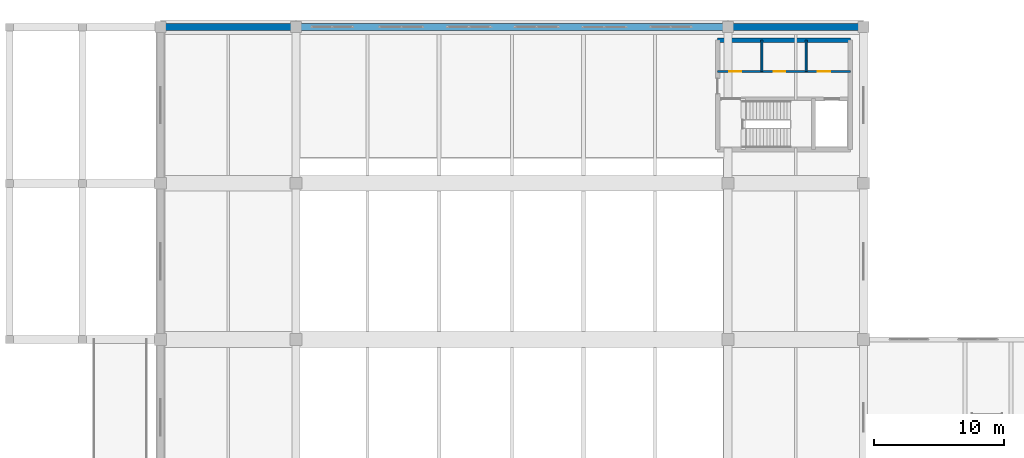
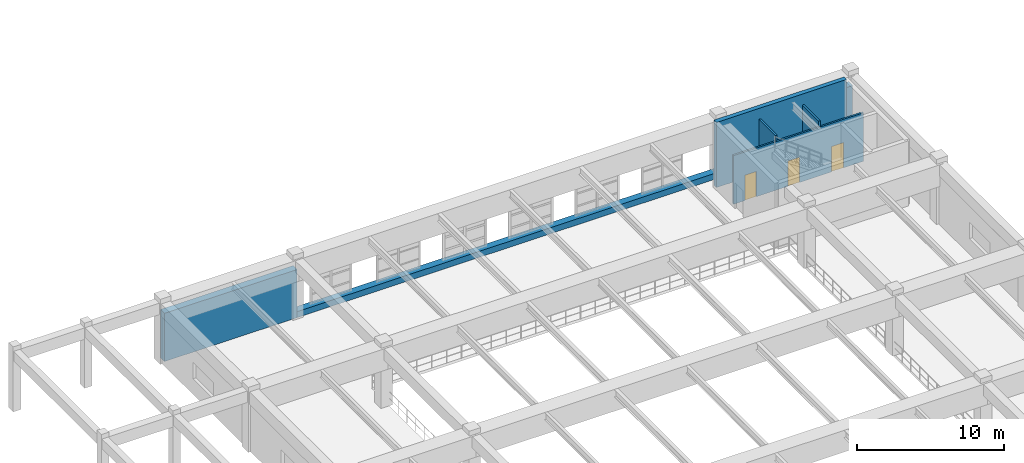
# One storey, part 182 of 197: 7 walls, 3 doors, 3 openings.
"""IFC4 building model written with IfcOpenShell, lengths in metres."""

from ifc_helpers import new_model, si_unit, derived_unit, direction, frame, frame_2d, origin, place, context, subcontext, project, spatial, rectangle, extrude, material, layer, layer_set, type_object, element, fill, save


model = new_model("IFC4")

# Units and contexts
model_context = context("Model", 3, precision=1e-05, world=origin(), true_north=direction((0.0, 1.0)))
body_context = subcontext(model_context, "Body", "Model", "MODEL_VIEW")
ifc_project = project(units=[si_unit("LENGTHUNIT", "METRE"), si_unit("AREAUNIT", "SQUARE_METRE"), si_unit("VOLUMEUNIT", "CUBIC_METRE"), si_unit("PLANEANGLEUNIT", "RADIAN"), si_unit("MASSUNIT", "GRAM", prefix="KILO"), derived_unit("THERMALTRANSMITTANCEUNIT", [(si_unit("POWERUNIT", "WATT"), 1), (si_unit("LENGTHUNIT", "METRE"), -2), (si_unit("THERMODYNAMICTEMPERATUREUNIT", "KELVIN"), -1)])], contexts=[model_context])

# Site, building, storey
site_placement = place(None, origin())
site = spatial("IfcSite", under=ifc_project, at=site_placement, CompositionType="ELEMENT")
building_placement = place(site_placement, origin())
building = spatial("IfcBuilding", under=site, at=building_placement, Name="Almenara Railside Exhibition Hall", CompositionType="ELEMENT")
storey_placement = place(building_placement, frame((0.0, 0.0, 5.39990234375)))
storey = spatial("IfcBuildingStorey", under=building, at=storey_placement, Name="L01", CompositionType="ELEMENT", Elevation=5.39990234375)

# Walls
ifc_material_1 = material(Name="Concrete C35/45", Category="concrete")
ifc_layer_1 = layer(ifc_material_1, 0.35009765625, Name="Concrete C35/45")
ifc_layer_set_1 = layer_set([ifc_layer_1], Name="Concrete C35/45")
wall_type_1 = type_object("IfcWallType", Name="Core Coupled Shear Wall 350mm C35/45", PredefinedType="SHEAR", material=ifc_layer_set_1)
wall_1_placement = place(storey_placement, frame((65.0, 131.0, 0.0), z_axis=(0.0, 0.0, 1.0), x_axis=(-1.0, 0.0, 0.0)))
element("IfcWall", 1, at=wall_1_placement, inside=storey, type_object=wall_type_1, Name="Interior wall 0038", PredefinedType="SHEAR", context=body_context, shape_type="SweptSolid", body=[
    extrude(rectangle(XDim=10.199951171875, YDim=0.35009765625, at=frame_2d((5.10009765625, 0.0))), origin(), (0.0, 0.0, 1.0), 5.400146484375),
])
ifc_material_2 = material(Name="Ochre-white lime-rendered masonry over Concrete C35/45", Category="masonry")
ifc_layer_2 = layer(ifc_material_2, 0.5400390625, Name="Ochre-white lime-rendered masonry over Concrete C35/45")
ifc_layer_set_2 = layer_set([ifc_layer_2], Name="Ochre-white lime-rendered masonry over Concrete C35/45")
wall_type_2 = type_object("IfcWallType", Name="Exterior West Hall Thermal Wall 540mm C35/45", PredefinedType="SOLIDWALL", material=ifc_layer_set_2)
wall_2_placement = place(storey_placement, frame((22.39990234375, 132.0, 0.0), z_axis=(0.0, 0.0, 1.0), x_axis=(-1.0, 0.0, 0.0)))
element("IfcWall", 2, at=wall_2_placement, inside=storey, type_object=wall_type_2, Name="Exterior wall 0065", PredefinedType="SOLIDWALL", context=body_context, shape_type="SweptSolid", body=[
    extrude(rectangle(XDim=10.39990234375, YDim=0.5400390625, at=frame_2d((5.199951171875, 0.0))), origin(), (0.0, 0.0, 1.0), 4.0),
])
wall_3_placement = place(storey_placement, frame((55.60009765625, 132.0, 0.0), z_axis=(0.0, 0.0, 1.0), x_axis=(-1.0, 0.0, 0.0)))
element("IfcWall", 3, at=wall_3_placement, inside=storey, type_object=wall_type_2, Name="Exterior wall 0068", PredefinedType="SOLIDWALL", context=body_context, shape_type="SweptSolid", body=[
    extrude(rectangle(XDim=33.2001953125, YDim=0.5400390625, at=frame_2d((16.60009765625, 0.0))), origin(), (0.0, 0.0, 1.0), 0.5),
])
wall_4_placement = place(storey_placement, frame((66.0, 132.0, 0.0), z_axis=(0.0, 0.0, 1.0), x_axis=(-1.0, 0.0, 0.0)))
element("IfcWall", 4, at=wall_4_placement, inside=storey, type_object=wall_type_2, Name="Exterior wall 0071", PredefinedType="SOLIDWALL", context=body_context, shape_type="SweptSolid", body=[
    extrude(rectangle(XDim=10.39990234375, YDim=0.5400390625, at=frame_2d((5.199951171875, 0.0))), origin(), (0.0, 0.0, 1.0), 4.0),
])

# Wall, openings, doors
ifc_material_3 = material(Name="Moisture-resistant tiled masonry partition", Category="masonry")
ifc_layer_3 = layer(ifc_material_3, 0.139892578125, Name="Moisture-resistant tiled masonry partition")
ifc_layer_set_3 = layer_set([ifc_layer_3], Name="Moisture-resistant tiled masonry partition")
wall_type_3 = type_object("IfcWallType", Name="Sanitary Wet-Wall Partition 140mm", PredefinedType="PARTITIONING", material=ifc_layer_set_3)
wall_5_placement = place(storey_placement, frame((54.800048828125, 128.60009765625, 0.0), z_axis=(0.0, 0.0, 1.0), x_axis=(1.0, 0.0, 0.0)))
wall_5 = element("IfcWall", 5, at=wall_5_placement, inside=storey, type_object=wall_type_3, Name="Interior wall 0043", PredefinedType="PARTITIONING", context=body_context, shape_type="SweptSolid", body=[
    extrude(rectangle(XDim=10.199951171875, YDim=0.139892578125, at=frame_2d((5.10009765625, 0.0))), origin(), (0.0, 0.0, 1.0), 4.03515625),
])
opening_1_placement = place(wall_5_placement, frame((0.89990234375, 0.0, 0.0)))
opening_1 = element("IfcOpeningElement", 6, at=opening_1_placement, cuts=wall_5, Name="Opening ID-09", PredefinedType="OPENING", context=body_context, shape_type="SweptSolid", body=[
    extrude(rectangle(XDim=0.89990234375, YDim=2.10009765625, at=frame_2d((0.449951171875, 1.050048828125))), frame((0.0, 0.079833984375, 0.0), z_axis=(0.0, -1.0, 0.0), x_axis=(1.0, 0.0, 0.0)), (0.0, 0.0, 1.0), 0.159912109375),
])
opening_2_placement = place(wall_5_placement, frame((4.300048828125, 0.0, 0.0)))
opening_2 = element("IfcOpeningElement", 7, at=opening_2_placement, cuts=wall_5, Name="Opening ID-09", PredefinedType="OPENING", context=body_context, shape_type="SweptSolid", body=[
    extrude(rectangle(XDim=0.89990234375, YDim=2.10009765625, at=frame_2d((0.449951171875, 1.050048828125))), frame((0.0, 0.079833984375, 0.0), z_axis=(0.0, -1.0, 0.0), x_axis=(1.0, 0.0, 0.0)), (0.0, 0.0, 1.0), 0.159912109375),
])
opening_3_placement = place(wall_5_placement, frame((7.699951171875, 0.0, 0.0)))
opening_3 = element("IfcOpeningElement", 8, at=opening_3_placement, cuts=wall_5, Name="Opening ID-095", PredefinedType="OPENING", context=body_context, shape_type="SweptSolid", body=[
    extrude(rectangle(XDim=0.949951171875, YDim=2.10009765625, at=frame_2d((0.47509765625, 1.050048828125))), frame((0.0, 0.079833984375, 0.0), z_axis=(0.0, -1.0, 0.0), x_axis=(1.0, 0.0, 0.0)), (0.0, 0.0, 1.0), 0.159912109375),
])
ifc_material_4 = material(Name="Moisture-resistant hardwood door", Category="wood")
door_type_1 = type_object("IfcDoorType", Name="Accessible Toilet Door 950x2100", OperationType="NOTDEFINED", PredefinedType="DOOR", material=ifc_material_4)
door_1_placement = place(opening_3_placement, origin())
door_1 = element("IfcDoor", 9, at=door_1_placement, inside=storey, type_object=door_type_1, Name="Interior door ID-095-030", OperationType="SINGLE_SWING_RIGHT", OverallHeight=2.10009765625, OverallWidth=0.949951171875, PredefinedType="DOOR", context=body_context, shape_type="SweptSolid", body=[
    extrude(rectangle(XDim=0.949951171875, YDim=2.10009765625, at=frame_2d((0.47509765625, 1.050048828125))), frame((0.0, 0.02490234375, 0.0), z_axis=(0.0, -1.0, 0.0), x_axis=(1.0, 0.0, 0.0)), (0.0, 0.0, 1.0), 0.050048828125),
])
fill(opening_3, door_1)
door_type_2 = type_object("IfcDoorType", Name="Sanitary Lobby Single Door 900x2100", OperationType="NOTDEFINED", PredefinedType="DOOR", material=ifc_material_4)
door_2_placement = place(opening_1_placement, origin())
door_2 = element("IfcDoor", 10, at=door_2_placement, inside=storey, type_object=door_type_2, Name="Interior door ID-09-028", OperationType="SINGLE_SWING_RIGHT", OverallHeight=2.10009765625, OverallWidth=0.89990234375, PredefinedType="DOOR", context=body_context, shape_type="SweptSolid", body=[
    extrude(rectangle(XDim=0.89990234375, YDim=2.10009765625, at=frame_2d((0.449951171875, 1.050048828125))), frame((0.0, 0.02490234375, 0.0), z_axis=(0.0, -1.0, 0.0), x_axis=(1.0, 0.0, 0.0)), (0.0, 0.0, 1.0), 0.050048828125),
])
fill(opening_1, door_2)
door_3_placement = place(opening_2_placement, origin())
door_3 = element("IfcDoor", 11, at=door_3_placement, inside=storey, type_object=door_type_2, Name="Interior door ID-09-029", OperationType="SINGLE_SWING_LEFT", OverallHeight=2.10009765625, OverallWidth=0.89990234375, PredefinedType="DOOR", context=body_context, shape_type="SweptSolid", body=[
    extrude(rectangle(XDim=0.89990234375, YDim=2.10009765625, at=frame_2d((0.449951171875, 1.050048828125))), frame((0.0, 0.02490234375, 0.0), z_axis=(0.0, -1.0, 0.0), x_axis=(1.0, 0.0, 0.0)), (0.0, 0.0, 1.0), 0.050048828125),
])
fill(opening_2, door_3)

# Walls
for number, where, z_axis, x_axis, name in (
    (12, (58.199951171875, 128.60009765625, 0.0), (0.0, 0.0, 1.0), (0.0, 1.0, 0.0), "Interior wall 0044"),
    (13, (61.60009765625, 128.60009765625, 0.0), (0.0, 0.0, 1.0), (0.0, 1.0, 0.0), "Interior wall 0045"),
):
    element("IfcWall", number, at=place(storey_placement, frame(where, z_axis=z_axis, x_axis=x_axis)), inside=storey, type_object=wall_type_3, Name=name, PredefinedType="PARTITIONING", context=body_context, shape_type="SweptSolid", body=[
        extrude(rectangle(XDim=2.39990234375, YDim=0.139892578125, at=frame_2d((1.199951171875, 0.0))), origin(), (0.0, 0.0, 1.0), 4.5),
    ])

save(model, "model.ifc")
